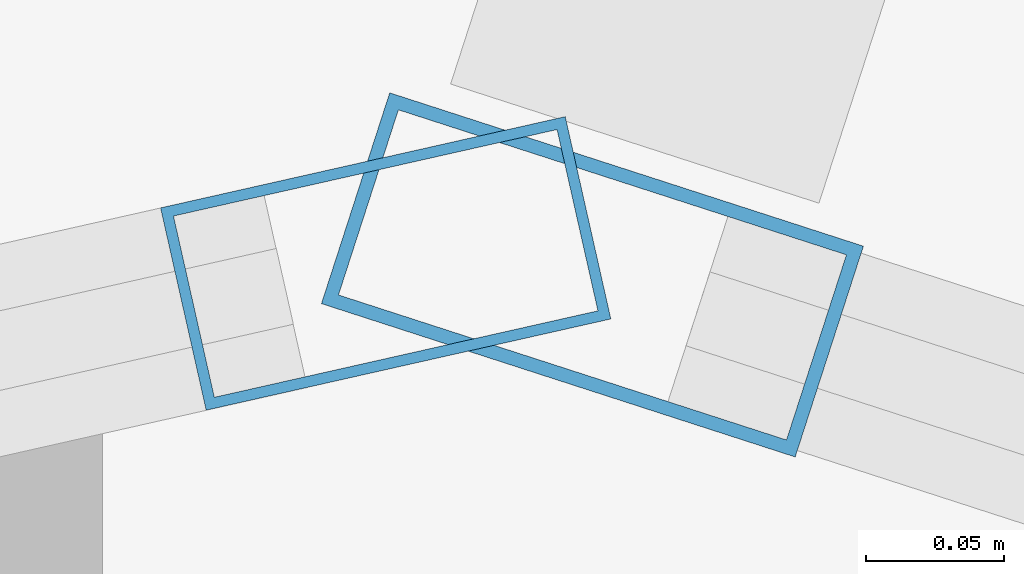
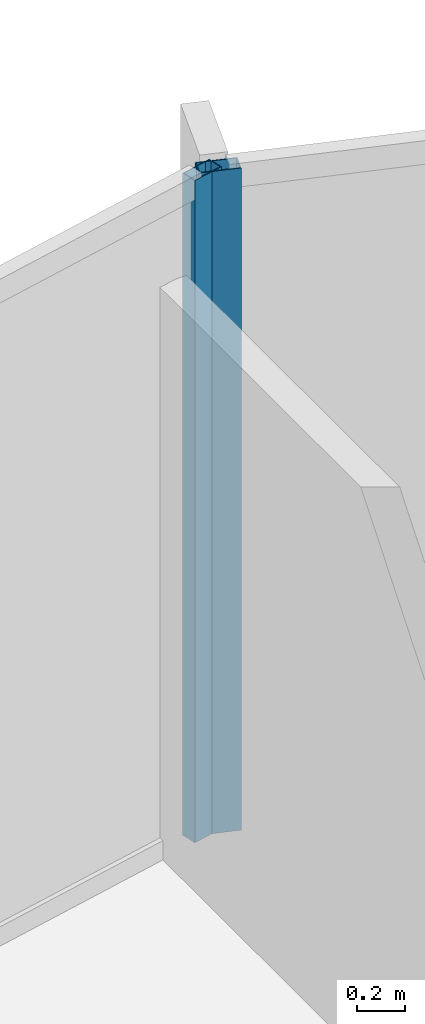
# One storey, part 21 of 33: 2 members, 2 elements without a shape of their own.
"""IFC4 building model written with IfcOpenShell, lengths in metres."""

from ifc_helpers import new_model, si_unit, direction, frame, origin, origin_2d, place, context, subcontext, project, spatial, hollow_rectangle, extrude, material, layer, layer_set, material_profile, profile_set, type_object, element, aggregate, save


model = new_model("IFC4")

# Units and contexts
model_context = context("Model", 3, precision=1e-05, world=origin(), true_north=direction((0.0, 1.0)))
body_context = subcontext(model_context, "Body", "Model", "MODEL_VIEW")
ifc_project = project(units=[si_unit("LENGTHUNIT", "METRE"), si_unit("AREAUNIT", "SQUARE_METRE"), si_unit("VOLUMEUNIT", "CUBIC_METRE"), si_unit("PLANEANGLEUNIT", "RADIAN"), si_unit("MASSUNIT", "GRAM", prefix="KILO")], contexts=[model_context])

# Site, building, storey
site_placement = place(None, origin())
site = spatial("IfcSite", under=ifc_project, at=site_placement, CompositionType="ELEMENT")
building_placement = place(site_placement, origin())
building = spatial("IfcBuilding", under=site, at=building_placement, Name="Kazevale Care Tower and Concert Hall", CompositionType="ELEMENT")
storey_placement = place(building_placement, frame((0.0, 0.0, 52.800048828125)))
storey = spatial("IfcBuildingStorey", under=building, at=storey_placement, Name="L13", CompositionType="ELEMENT", Elevation=52.800048828125)

# Curtain wall, member
ifc_material_1 = material(Name="Aluminium 6063-T6 and Low-E Glass", Category="aluminium")
ifc_layer_1 = layer(ifc_material_1, 0.179931640625)
ifc_layer_set_1 = layer_set([ifc_layer_1], Name="Aluminium 6063-T6 and Low-E Glass")
curtain_wall_type_1 = type_object("IfcCurtainWallType", Name="Convex Checkerboard Finned Curtain Wall CW-2", PredefinedType="NOTDEFINED", material=ifc_layer_set_1)
curtain_wall_1_placement = place(storey_placement, origin())
curtain_wall_1 = element("IfcCurtainWall", 1, at=curtain_wall_1_placement, inside=storey, type_object=curtain_wall_type_1, Name="cw:L13:f16", PredefinedType="NOTDEFINED")
ifc_material_2 = material(Name="Aluminium 6063-T6", Category="aluminium")
ifc_material_profile_1 = material_profile(ifc_material_2, hollow_rectangle(XDim=0.080078125, YDim=0.179931640625, WallThickness=0.0048828125, at=origin_2d()), Name="ALU80x180x5")
ifc_profile_set_1 = profile_set([ifc_material_profile_1], Name="Aluminium 6063-T6")
member_type_1 = type_object("IfcMemberType", Name="CW-2 Mullion ALU80x180x5", PredefinedType="MULLION", material=ifc_profile_set_1)
member_1_placement = place(storey_placement, frame((44.9970703125, 67.355712890625, 0.0), z_axis=(0.0, 0.0, 1.0), x_axis=(0.307925769029, 0.951410385043, 0.0)))
member_1 = element("IfcMember", 2, at=member_1_placement, type_object=member_type_1, Name="CW-2 mullion 1", PredefinedType="MULLION", context=body_context, shape_type="SweptSolid", body=[
    extrude(hollow_rectangle(XDim=0.080078125, YDim=0.179931640625, WallThickness=0.0048828125, at=origin_2d()), origin(), (0.0, 0.0, 1.0), 3.35986328125),
])
aggregate(curtain_wall_1, [member_1])

ifc_layer_2 = layer(ifc_material_1, 0.179931640625)
ifc_layer_set_2 = layer_set([ifc_layer_2], Name="Aluminium 6063-T6 and Low-E Glass")
curtain_wall_type_2 = type_object("IfcCurtainWallType", Name="Convex Recessed Sunroom Curtain Wall CW-3", PredefinedType="NOTDEFINED", material=ifc_layer_set_2)
curtain_wall_2_placement = place(storey_placement, origin())
curtain_wall_2 = element("IfcCurtainWall", 3, at=curtain_wall_2_placement, inside=storey, type_object=curtain_wall_type_2, Name="cw:L13:f15", PredefinedType="NOTDEFINED")
ifc_material_profile_2 = material_profile(ifc_material_2, hollow_rectangle(XDim=0.074951171875, YDim=0.14990234375, WallThickness=0.00390625, at=origin_2d()), Name="ALU75x150x4")
ifc_profile_set_2 = profile_set([ifc_material_profile_2], Name="Aluminium 6063-T6")
member_type_2 = type_object("IfcMemberType", Name="CW-3 Mullion ALU75x150x4", PredefinedType="MULLION", material=ifc_profile_set_2)
member_2_placement = place(storey_placement, frame((44.92236328125, 67.35986328125, 0.0), z_axis=(0.0, 0.0, 1.0), x_axis=(-0.219910670667, 0.975520013596, 0.0)))
member_2 = element("IfcMember", 4, at=member_2_placement, type_object=member_type_2, Name="CW-3 mullion 2", PredefinedType="MULLION", context=body_context, shape_type="SweptSolid", body=[
    extrude(hollow_rectangle(XDim=0.074951171875, YDim=0.14990234375, WallThickness=0.00390625, at=origin_2d()), origin(), (0.0, 0.0, 1.0), 3.35986328125),
])
aggregate(curtain_wall_2, [member_2])

save(model, "model.ifc")
